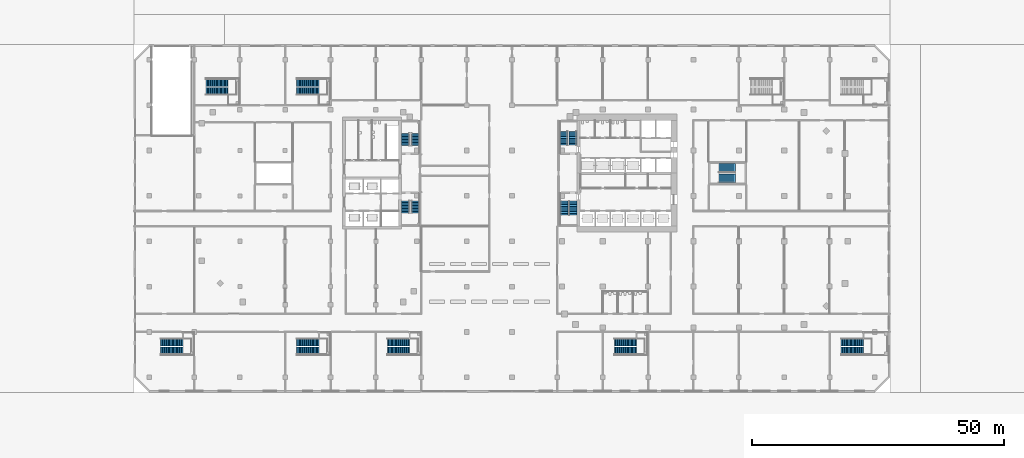
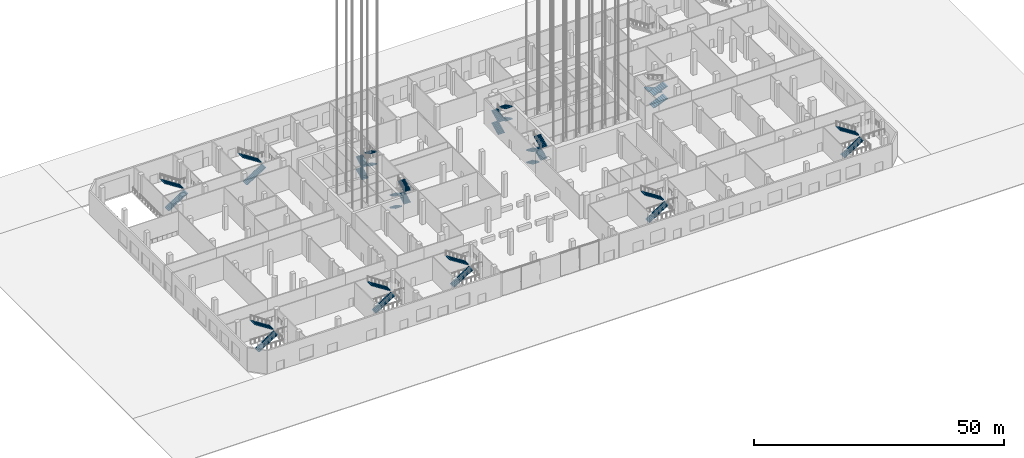
# One storey, part 44 of 55: 33 stair flights, 12 elements without a shape of their own.
"""IFC4 building model written with IfcOpenShell, lengths in metres."""

from ifc_helpers import new_model, si_unit, direction, frame, origin, place, context, subcontext, project, spatial, polyline, outline, extrude, material, type_object, element, aggregate, save


model = new_model("IFC4")

# Units and contexts
model_context = context("Model", 3, precision=1e-05, world=origin(), true_north=direction((0.0, 1.0)))
body_context = subcontext(model_context, "Body", "Model", "MODEL_VIEW")
ifc_project = project(units=[si_unit("LENGTHUNIT", "METRE"), si_unit("AREAUNIT", "SQUARE_METRE"), si_unit("VOLUMEUNIT", "CUBIC_METRE"), si_unit("PLANEANGLEUNIT", "RADIAN"), si_unit("MASSUNIT", "GRAM", prefix="KILO")], contexts=[model_context])

# Site, building, storey
site_placement = place(None, origin())
site = spatial("IfcSite", under=ifc_project, at=site_placement, CompositionType="ELEMENT")
building_placement = place(site_placement, origin())
building = spatial("IfcBuilding", under=site, at=building_placement, Name="Cinnabar Reach Civic Tower", CompositionType="ELEMENT")
storey_placement = place(building_placement, origin())
storey = spatial("IfcBuildingStorey", under=building, at=storey_placement, Name="L00", CompositionType="ELEMENT", Elevation=0.0)

# Stair, stair flights
ifc_material_1 = material(Name="Concrete C35", Category="concrete")
stair_type_1 = type_object("IfcStairType", Name="Podium exit stair 1500", PredefinedType="HALF_TURN_STAIR", material=ifc_material_1)
stair_1_placement = place(storey_placement, origin())
stair_1 = element("IfcStair", 1, at=stair_1_placement, inside=storey, type_object=stair_type_1, Name="Stair PS1", PredefinedType="HALF_TURN_STAIR")
stair_flight_type_1 = type_object("IfcStairFlightType", Name="Podium exit stair flight 1500", PredefinedType="STRAIGHT", material=ifc_material_1)
stair_flight_1_placement = place(storey_placement, frame((-78.71, -3.75, 0.0), z_axis=(0.0, 0.0, 1.0), x_axis=(1.0, 0.0, 0.0)))
stair_flight_1 = element("IfcStairFlight", 2, at=stair_flight_1_placement, type_object=stair_flight_type_1, Name="PS1 flight 1", NumberOfRisers=18, NumberOfTreads=17, PredefinedType="STRAIGHT", RiserHeight=0.166666667, TreadLength=0.26, context=body_context, shape_type="SweptSolid", body=[
    extrude(outline(polyline([(0.0, 0.0), (0.0, 0.1667), (0.26, 0.1667), (0.26, 0.3333), (0.52, 0.3333), (0.52, 0.5), (0.78, 0.5), (0.78, 0.6667), (1.04, 0.6667), (1.04, 0.8333), (1.3, 0.8333), (1.3, 1.0), (1.56, 1.0), (1.56, 1.1667), (1.82, 1.1667), (1.82, 1.3333), (2.08, 1.3333), (2.08, 1.5), (2.34, 1.5), (2.34, 1.6667), (2.6, 1.6667), (2.6, 1.8333), (2.86, 1.8333), (2.86, 2.0), (3.12, 2.0), (3.12, 2.1667), (3.38, 2.1667), (3.38, 2.3333), (3.64, 2.3333), (3.64, 2.5), (3.9, 2.5), (3.9, 2.6667), (4.16, 2.6667), (4.16, 2.8333), (4.42, 2.8333), (4.42, 3.0), (4.42, 2.6552), (0.2779, 0.0), (0.0, 0.0)])), frame((0.0, 0.75, 0.0), z_axis=(0.0, -1.0, 0.0), x_axis=(1.0, 0.0, 0.0)), (0.0, 0.0, 1.0), 1.5),
])
stair_flight_2_placement = place(storey_placement, frame((-74.29, -2.05, 3.0), z_axis=(0.0, 0.0, 1.0), x_axis=(-1.0, 0.0, 0.0)))
stair_flight_2 = element("IfcStairFlight", 3, at=stair_flight_2_placement, type_object=stair_flight_type_1, Name="PS1 flight 2", NumberOfRisers=18, NumberOfTreads=17, PredefinedType="STRAIGHT", RiserHeight=0.166666667, TreadLength=0.26, context=body_context, shape_type="SweptSolid", body=[
    extrude(outline(polyline([(0.0, 0.0), (0.0, 0.1667), (0.26, 0.1667), (0.26, 0.3333), (0.52, 0.3333), (0.52, 0.5), (0.78, 0.5), (0.78, 0.6667), (1.04, 0.6667), (1.04, 0.8333), (1.3, 0.8333), (1.3, 1.0), (1.56, 1.0), (1.56, 1.1667), (1.82, 1.1667), (1.82, 1.3333), (2.08, 1.3333), (2.08, 1.5), (2.34, 1.5), (2.34, 1.6667), (2.6, 1.6667), (2.6, 1.8333), (2.86, 1.8333), (2.86, 2.0), (3.12, 2.0), (3.12, 2.1667), (3.38, 2.1667), (3.38, 2.3333), (3.64, 2.3333), (3.64, 2.5), (3.9, 2.5), (3.9, 2.6667), (4.16, 2.6667), (4.16, 2.8333), (4.42, 2.8333), (4.42, 3.0), (4.42, 2.6552), (0.2779, 0.0), (0.0, 0.0)])), frame((0.0, 0.75, 0.0), z_axis=(0.0, -1.0, 0.0), x_axis=(1.0, 0.0, 0.0)), (0.0, 0.0, 1.0), 1.5),
])
aggregate(stair_1, [stair_flight_1, stair_flight_2])

stair_2_placement = place(storey_placement, origin())
stair_2 = element("IfcStair", 4, at=stair_2_placement, inside=storey, type_object=stair_type_1, Name="Stair PS2", PredefinedType="HALF_TURN_STAIR")
stair_flight_3_placement = place(storey_placement, frame((-69.71, 47.75, 0.0), z_axis=(0.0, 0.0, 1.0), x_axis=(1.0, 0.0, 0.0)))
stair_flight_3 = element("IfcStairFlight", 5, at=stair_flight_3_placement, type_object=stair_flight_type_1, Name="PS2 flight 1", NumberOfRisers=18, NumberOfTreads=17, PredefinedType="STRAIGHT", RiserHeight=0.166666667, TreadLength=0.26, context=body_context, shape_type="SweptSolid", body=[
    extrude(outline(polyline([(0.0, 0.0), (0.0, 0.1667), (0.26, 0.1667), (0.26, 0.3333), (0.52, 0.3333), (0.52, 0.5), (0.78, 0.5), (0.78, 0.6667), (1.04, 0.6667), (1.04, 0.8333), (1.3, 0.8333), (1.3, 1.0), (1.56, 1.0), (1.56, 1.1667), (1.82, 1.1667), (1.82, 1.3333), (2.08, 1.3333), (2.08, 1.5), (2.34, 1.5), (2.34, 1.6667), (2.6, 1.6667), (2.6, 1.8333), (2.86, 1.8333), (2.86, 2.0), (3.12, 2.0), (3.12, 2.1667), (3.38, 2.1667), (3.38, 2.3333), (3.64, 2.3333), (3.64, 2.5), (3.9, 2.5), (3.9, 2.6667), (4.16, 2.6667), (4.16, 2.8333), (4.42, 2.8333), (4.42, 3.0), (4.42, 2.6552), (0.2779, 0.0), (0.0, 0.0)])), frame((0.0, 0.75, 0.0), z_axis=(0.0, -1.0, 0.0), x_axis=(1.0, 0.0, 0.0)), (0.0, 0.0, 1.0), 1.5),
])
stair_flight_4_placement = place(storey_placement, frame((-65.29, 49.45, 3.0), z_axis=(0.0, 0.0, 1.0), x_axis=(-1.0, 0.0, 0.0)))
stair_flight_4 = element("IfcStairFlight", 6, at=stair_flight_4_placement, type_object=stair_flight_type_1, Name="PS2 flight 2", NumberOfRisers=18, NumberOfTreads=17, PredefinedType="STRAIGHT", RiserHeight=0.166666667, TreadLength=0.26, context=body_context, shape_type="SweptSolid", body=[
    extrude(outline(polyline([(0.0, 0.0), (0.0, 0.1667), (0.26, 0.1667), (0.26, 0.3333), (0.52, 0.3333), (0.52, 0.5), (0.78, 0.5), (0.78, 0.6667), (1.04, 0.6667), (1.04, 0.8333), (1.3, 0.8333), (1.3, 1.0), (1.56, 1.0), (1.56, 1.1667), (1.82, 1.1667), (1.82, 1.3333), (2.08, 1.3333), (2.08, 1.5), (2.34, 1.5), (2.34, 1.6667), (2.6, 1.6667), (2.6, 1.8333), (2.86, 1.8333), (2.86, 2.0), (3.12, 2.0), (3.12, 2.1667), (3.38, 2.1667), (3.38, 2.3333), (3.64, 2.3333), (3.64, 2.5), (3.9, 2.5), (3.9, 2.6667), (4.16, 2.6667), (4.16, 2.8333), (4.42, 2.8333), (4.42, 3.0), (4.42, 2.6552), (0.2779, 0.0), (0.0, 0.0)])), frame((0.0, 0.75, 0.0), z_axis=(0.0, -1.0, 0.0), x_axis=(1.0, 0.0, 0.0)), (0.0, 0.0, 1.0), 1.5),
])
aggregate(stair_2, [stair_flight_3, stair_flight_4])

stair_3_placement = place(storey_placement, origin())
stair_3 = element("IfcStair", 7, at=stair_3_placement, inside=storey, type_object=stair_type_1, Name="Stair PS3", PredefinedType="HALF_TURN_STAIR")
stair_flight_5_placement = place(storey_placement, frame((11.29, -3.75, 0.0), z_axis=(0.0, 0.0, 1.0), x_axis=(1.0, 0.0, 0.0)))
stair_flight_5 = element("IfcStairFlight", 8, at=stair_flight_5_placement, type_object=stair_flight_type_1, Name="PS3 flight 1", NumberOfRisers=18, NumberOfTreads=17, PredefinedType="STRAIGHT", RiserHeight=0.166666667, TreadLength=0.26, context=body_context, shape_type="SweptSolid", body=[
    extrude(outline(polyline([(0.0, 0.0), (0.0, 0.1667), (0.26, 0.1667), (0.26, 0.3333), (0.52, 0.3333), (0.52, 0.5), (0.78, 0.5), (0.78, 0.6667), (1.04, 0.6667), (1.04, 0.8333), (1.3, 0.8333), (1.3, 1.0), (1.56, 1.0), (1.56, 1.1667), (1.82, 1.1667), (1.82, 1.3333), (2.08, 1.3333), (2.08, 1.5), (2.34, 1.5), (2.34, 1.6667), (2.6, 1.6667), (2.6, 1.8333), (2.86, 1.8333), (2.86, 2.0), (3.12, 2.0), (3.12, 2.1667), (3.38, 2.1667), (3.38, 2.3333), (3.64, 2.3333), (3.64, 2.5), (3.9, 2.5), (3.9, 2.6667), (4.16, 2.6667), (4.16, 2.8333), (4.42, 2.8333), (4.42, 3.0), (4.42, 2.6552), (0.2779, 0.0), (0.0, 0.0)])), frame((0.0, 0.75, 0.0), z_axis=(0.0, -1.0, 0.0), x_axis=(1.0, 0.0, 0.0)), (0.0, 0.0, 1.0), 1.5),
])
stair_flight_6_placement = place(storey_placement, frame((15.71, -2.05, 3.0), z_axis=(0.0, 0.0, 1.0), x_axis=(-1.0, 0.0, 0.0)))
stair_flight_6 = element("IfcStairFlight", 9, at=stair_flight_6_placement, type_object=stair_flight_type_1, Name="PS3 flight 2", NumberOfRisers=18, NumberOfTreads=17, PredefinedType="STRAIGHT", RiserHeight=0.166666667, TreadLength=0.26, context=body_context, shape_type="SweptSolid", body=[
    extrude(outline(polyline([(0.0, 0.0), (0.0, 0.1667), (0.26, 0.1667), (0.26, 0.3333), (0.52, 0.3333), (0.52, 0.5), (0.78, 0.5), (0.78, 0.6667), (1.04, 0.6667), (1.04, 0.8333), (1.3, 0.8333), (1.3, 1.0), (1.56, 1.0), (1.56, 1.1667), (1.82, 1.1667), (1.82, 1.3333), (2.08, 1.3333), (2.08, 1.5), (2.34, 1.5), (2.34, 1.6667), (2.6, 1.6667), (2.6, 1.8333), (2.86, 1.8333), (2.86, 2.0), (3.12, 2.0), (3.12, 2.1667), (3.38, 2.1667), (3.38, 2.3333), (3.64, 2.3333), (3.64, 2.5), (3.9, 2.5), (3.9, 2.6667), (4.16, 2.6667), (4.16, 2.8333), (4.42, 2.8333), (4.42, 3.0), (4.42, 2.6552), (0.2779, 0.0), (0.0, 0.0)])), frame((0.0, 0.75, 0.0), z_axis=(0.0, -1.0, 0.0), x_axis=(1.0, 0.0, 0.0)), (0.0, 0.0, 1.0), 1.5),
])
aggregate(stair_3, [stair_flight_5, stair_flight_6])

stair_4_placement = place(storey_placement, origin())
stair_4 = element("IfcStair", 10, at=stair_4_placement, inside=storey, type_object=stair_type_1, Name="Stair PS4", PredefinedType="HALF_TURN_STAIR")
stair_flight_7_placement = place(storey_placement, frame((56.29, -3.75, 0.0), z_axis=(0.0, 0.0, 1.0), x_axis=(1.0, 0.0, 0.0)))
stair_flight_7 = element("IfcStairFlight", 11, at=stair_flight_7_placement, type_object=stair_flight_type_1, Name="PS4 flight 1", NumberOfRisers=18, NumberOfTreads=17, PredefinedType="STRAIGHT", RiserHeight=0.166666667, TreadLength=0.26, context=body_context, shape_type="SweptSolid", body=[
    extrude(outline(polyline([(0.0, 0.0), (0.0, 0.1667), (0.26, 0.1667), (0.26, 0.3333), (0.52, 0.3333), (0.52, 0.5), (0.78, 0.5), (0.78, 0.6667), (1.04, 0.6667), (1.04, 0.8333), (1.3, 0.8333), (1.3, 1.0), (1.56, 1.0), (1.56, 1.1667), (1.82, 1.1667), (1.82, 1.3333), (2.08, 1.3333), (2.08, 1.5), (2.34, 1.5), (2.34, 1.6667), (2.6, 1.6667), (2.6, 1.8333), (2.86, 1.8333), (2.86, 2.0), (3.12, 2.0), (3.12, 2.1667), (3.38, 2.1667), (3.38, 2.3333), (3.64, 2.3333), (3.64, 2.5), (3.9, 2.5), (3.9, 2.6667), (4.16, 2.6667), (4.16, 2.8333), (4.42, 2.8333), (4.42, 3.0), (4.42, 2.6552), (0.2779, 0.0), (0.0, 0.0)])), frame((0.0, 0.75, 0.0), z_axis=(0.0, -1.0, 0.0), x_axis=(1.0, 0.0, 0.0)), (0.0, 0.0, 1.0), 1.5),
])
stair_flight_8_placement = place(storey_placement, frame((60.71, -2.05, 3.0), z_axis=(0.0, 0.0, 1.0), x_axis=(-1.0, 0.0, 0.0)))
stair_flight_8 = element("IfcStairFlight", 12, at=stair_flight_8_placement, type_object=stair_flight_type_1, Name="PS4 flight 2", NumberOfRisers=18, NumberOfTreads=17, PredefinedType="STRAIGHT", RiserHeight=0.166666667, TreadLength=0.26, context=body_context, shape_type="SweptSolid", body=[
    extrude(outline(polyline([(0.0, 0.0), (0.0, 0.1667), (0.26, 0.1667), (0.26, 0.3333), (0.52, 0.3333), (0.52, 0.5), (0.78, 0.5), (0.78, 0.6667), (1.04, 0.6667), (1.04, 0.8333), (1.3, 0.8333), (1.3, 1.0), (1.56, 1.0), (1.56, 1.1667), (1.82, 1.1667), (1.82, 1.3333), (2.08, 1.3333), (2.08, 1.5), (2.34, 1.5), (2.34, 1.6667), (2.6, 1.6667), (2.6, 1.8333), (2.86, 1.8333), (2.86, 2.0), (3.12, 2.0), (3.12, 2.1667), (3.38, 2.1667), (3.38, 2.3333), (3.64, 2.3333), (3.64, 2.5), (3.9, 2.5), (3.9, 2.6667), (4.16, 2.6667), (4.16, 2.8333), (4.42, 2.8333), (4.42, 3.0), (4.42, 2.6552), (0.2779, 0.0), (0.0, 0.0)])), frame((0.0, 0.75, 0.0), z_axis=(0.0, -1.0, 0.0), x_axis=(1.0, 0.0, 0.0)), (0.0, 0.0, 1.0), 1.5),
])
aggregate(stair_4, [stair_flight_7, stair_flight_8])

stair_5_placement = place(storey_placement, origin())
stair_5 = element("IfcStair", 13, at=stair_5_placement, inside=storey, type_object=stair_type_1, Name="Stair PS7", PredefinedType="HALF_TURN_STAIR")
stair_flight_9_placement = place(storey_placement, frame((-51.71, 47.75, 0.0), z_axis=(0.0, 0.0, 1.0), x_axis=(1.0, 0.0, 0.0)))
stair_flight_9 = element("IfcStairFlight", 14, at=stair_flight_9_placement, type_object=stair_flight_type_1, Name="PS7 flight 1", NumberOfRisers=18, NumberOfTreads=17, PredefinedType="STRAIGHT", RiserHeight=0.166666667, TreadLength=0.26, context=body_context, shape_type="SweptSolid", body=[
    extrude(outline(polyline([(0.0, 0.0), (0.0, 0.1667), (0.26, 0.1667), (0.26, 0.3333), (0.52, 0.3333), (0.52, 0.5), (0.78, 0.5), (0.78, 0.6667), (1.04, 0.6667), (1.04, 0.8333), (1.3, 0.8333), (1.3, 1.0), (1.56, 1.0), (1.56, 1.1667), (1.82, 1.1667), (1.82, 1.3333), (2.08, 1.3333), (2.08, 1.5), (2.34, 1.5), (2.34, 1.6667), (2.6, 1.6667), (2.6, 1.8333), (2.86, 1.8333), (2.86, 2.0), (3.12, 2.0), (3.12, 2.1667), (3.38, 2.1667), (3.38, 2.3333), (3.64, 2.3333), (3.64, 2.5), (3.9, 2.5), (3.9, 2.6667), (4.16, 2.6667), (4.16, 2.8333), (4.42, 2.8333), (4.42, 3.0), (4.42, 2.6552), (0.2779, 0.0), (0.0, 0.0)])), frame((0.0, 0.75, 0.0), z_axis=(0.0, -1.0, 0.0), x_axis=(1.0, 0.0, 0.0)), (0.0, 0.0, 1.0), 1.5),
])
stair_flight_10_placement = place(storey_placement, frame((-47.29, 49.45, 3.0), z_axis=(0.0, 0.0, 1.0), x_axis=(-1.0, 0.0, 0.0)))
stair_flight_10 = element("IfcStairFlight", 15, at=stair_flight_10_placement, type_object=stair_flight_type_1, Name="PS7 flight 2", NumberOfRisers=18, NumberOfTreads=17, PredefinedType="STRAIGHT", RiserHeight=0.166666667, TreadLength=0.26, context=body_context, shape_type="SweptSolid", body=[
    extrude(outline(polyline([(0.0, 0.0), (0.0, 0.1667), (0.26, 0.1667), (0.26, 0.3333), (0.52, 0.3333), (0.52, 0.5), (0.78, 0.5), (0.78, 0.6667), (1.04, 0.6667), (1.04, 0.8333), (1.3, 0.8333), (1.3, 1.0), (1.56, 1.0), (1.56, 1.1667), (1.82, 1.1667), (1.82, 1.3333), (2.08, 1.3333), (2.08, 1.5), (2.34, 1.5), (2.34, 1.6667), (2.6, 1.6667), (2.6, 1.8333), (2.86, 1.8333), (2.86, 2.0), (3.12, 2.0), (3.12, 2.1667), (3.38, 2.1667), (3.38, 2.3333), (3.64, 2.3333), (3.64, 2.5), (3.9, 2.5), (3.9, 2.6667), (4.16, 2.6667), (4.16, 2.8333), (4.42, 2.8333), (4.42, 3.0), (4.42, 2.6552), (0.2779, 0.0), (0.0, 0.0)])), frame((0.0, 0.75, 0.0), z_axis=(0.0, -1.0, 0.0), x_axis=(1.0, 0.0, 0.0)), (0.0, 0.0, 1.0), 1.5),
])
aggregate(stair_5, [stair_flight_9, stair_flight_10])

stair_6_placement = place(storey_placement, origin())
stair_6 = element("IfcStair", 16, at=stair_6_placement, inside=storey, type_object=stair_type_1, Name="Stair PS8", PredefinedType="HALF_TURN_STAIR")
stair_flight_11_placement = place(storey_placement, frame((-51.71, -3.75, 0.0), z_axis=(0.0, 0.0, 1.0), x_axis=(1.0, 0.0, 0.0)))
stair_flight_11 = element("IfcStairFlight", 17, at=stair_flight_11_placement, type_object=stair_flight_type_1, Name="PS8 flight 1", NumberOfRisers=18, NumberOfTreads=17, PredefinedType="STRAIGHT", RiserHeight=0.166666667, TreadLength=0.26, context=body_context, shape_type="SweptSolid", body=[
    extrude(outline(polyline([(0.0, 0.0), (0.0, 0.1667), (0.26, 0.1667), (0.26, 0.3333), (0.52, 0.3333), (0.52, 0.5), (0.78, 0.5), (0.78, 0.6667), (1.04, 0.6667), (1.04, 0.8333), (1.3, 0.8333), (1.3, 1.0), (1.56, 1.0), (1.56, 1.1667), (1.82, 1.1667), (1.82, 1.3333), (2.08, 1.3333), (2.08, 1.5), (2.34, 1.5), (2.34, 1.6667), (2.6, 1.6667), (2.6, 1.8333), (2.86, 1.8333), (2.86, 2.0), (3.12, 2.0), (3.12, 2.1667), (3.38, 2.1667), (3.38, 2.3333), (3.64, 2.3333), (3.64, 2.5), (3.9, 2.5), (3.9, 2.6667), (4.16, 2.6667), (4.16, 2.8333), (4.42, 2.8333), (4.42, 3.0), (4.42, 2.6552), (0.2779, 0.0), (0.0, 0.0)])), frame((0.0, 0.75, 0.0), z_axis=(0.0, -1.0, 0.0), x_axis=(1.0, 0.0, 0.0)), (0.0, 0.0, 1.0), 1.5),
])
stair_flight_12_placement = place(storey_placement, frame((-47.29, -2.05, 3.0), z_axis=(0.0, 0.0, 1.0), x_axis=(-1.0, 0.0, 0.0)))
stair_flight_12 = element("IfcStairFlight", 18, at=stair_flight_12_placement, type_object=stair_flight_type_1, Name="PS8 flight 2", NumberOfRisers=18, NumberOfTreads=17, PredefinedType="STRAIGHT", RiserHeight=0.166666667, TreadLength=0.26, context=body_context, shape_type="SweptSolid", body=[
    extrude(outline(polyline([(0.0, 0.0), (0.0, 0.1667), (0.26, 0.1667), (0.26, 0.3333), (0.52, 0.3333), (0.52, 0.5), (0.78, 0.5), (0.78, 0.6667), (1.04, 0.6667), (1.04, 0.8333), (1.3, 0.8333), (1.3, 1.0), (1.56, 1.0), (1.56, 1.1667), (1.82, 1.1667), (1.82, 1.3333), (2.08, 1.3333), (2.08, 1.5), (2.34, 1.5), (2.34, 1.6667), (2.6, 1.6667), (2.6, 1.8333), (2.86, 1.8333), (2.86, 2.0), (3.12, 2.0), (3.12, 2.1667), (3.38, 2.1667), (3.38, 2.3333), (3.64, 2.3333), (3.64, 2.5), (3.9, 2.5), (3.9, 2.6667), (4.16, 2.6667), (4.16, 2.8333), (4.42, 2.8333), (4.42, 3.0), (4.42, 2.6552), (0.2779, 0.0), (0.0, 0.0)])), frame((0.0, 0.75, 0.0), z_axis=(0.0, -1.0, 0.0), x_axis=(1.0, 0.0, 0.0)), (0.0, 0.0, 1.0), 1.5),
])
aggregate(stair_6, [stair_flight_11, stair_flight_12])

stair_7_placement = place(storey_placement, origin())
stair_7 = element("IfcStair", 19, at=stair_7_placement, inside=storey, type_object=stair_type_1, Name="Stair PS9", PredefinedType="HALF_TURN_STAIR")
stair_flight_13_placement = place(storey_placement, frame((-33.71, -3.75, 0.0), z_axis=(0.0, 0.0, 1.0), x_axis=(1.0, 0.0, 0.0)))
stair_flight_13 = element("IfcStairFlight", 20, at=stair_flight_13_placement, type_object=stair_flight_type_1, Name="PS9 flight 1", NumberOfRisers=18, NumberOfTreads=17, PredefinedType="STRAIGHT", RiserHeight=0.166666667, TreadLength=0.26, context=body_context, shape_type="SweptSolid", body=[
    extrude(outline(polyline([(0.0, 0.0), (0.0, 0.1667), (0.26, 0.1667), (0.26, 0.3333), (0.52, 0.3333), (0.52, 0.5), (0.78, 0.5), (0.78, 0.6667), (1.04, 0.6667), (1.04, 0.8333), (1.3, 0.8333), (1.3, 1.0), (1.56, 1.0), (1.56, 1.1667), (1.82, 1.1667), (1.82, 1.3333), (2.08, 1.3333), (2.08, 1.5), (2.34, 1.5), (2.34, 1.6667), (2.6, 1.6667), (2.6, 1.8333), (2.86, 1.8333), (2.86, 2.0), (3.12, 2.0), (3.12, 2.1667), (3.38, 2.1667), (3.38, 2.3333), (3.64, 2.3333), (3.64, 2.5), (3.9, 2.5), (3.9, 2.6667), (4.16, 2.6667), (4.16, 2.8333), (4.42, 2.8333), (4.42, 3.0), (4.42, 2.6552), (0.2779, 0.0), (0.0, 0.0)])), frame((0.0, 0.75, 0.0), z_axis=(0.0, -1.0, 0.0), x_axis=(1.0, 0.0, 0.0)), (0.0, 0.0, 1.0), 1.5),
])
stair_flight_14_placement = place(storey_placement, frame((-29.29, -2.05, 3.0), z_axis=(0.0, 0.0, 1.0), x_axis=(-1.0, 0.0, 0.0)))
stair_flight_14 = element("IfcStairFlight", 21, at=stair_flight_14_placement, type_object=stair_flight_type_1, Name="PS9 flight 2", NumberOfRisers=18, NumberOfTreads=17, PredefinedType="STRAIGHT", RiserHeight=0.166666667, TreadLength=0.26, context=body_context, shape_type="SweptSolid", body=[
    extrude(outline(polyline([(0.0, 0.0), (0.0, 0.1667), (0.26, 0.1667), (0.26, 0.3333), (0.52, 0.3333), (0.52, 0.5), (0.78, 0.5), (0.78, 0.6667), (1.04, 0.6667), (1.04, 0.8333), (1.3, 0.8333), (1.3, 1.0), (1.56, 1.0), (1.56, 1.1667), (1.82, 1.1667), (1.82, 1.3333), (2.08, 1.3333), (2.08, 1.5), (2.34, 1.5), (2.34, 1.6667), (2.6, 1.6667), (2.6, 1.8333), (2.86, 1.8333), (2.86, 2.0), (3.12, 2.0), (3.12, 2.1667), (3.38, 2.1667), (3.38, 2.3333), (3.64, 2.3333), (3.64, 2.5), (3.9, 2.5), (3.9, 2.6667), (4.16, 2.6667), (4.16, 2.8333), (4.42, 2.8333), (4.42, 3.0), (4.42, 2.6552), (0.2779, 0.0), (0.0, 0.0)])), frame((0.0, 0.75, 0.0), z_axis=(0.0, -1.0, 0.0), x_axis=(1.0, 0.0, 0.0)), (0.0, 0.0, 1.0), 1.5),
])
aggregate(stair_7, [stair_flight_13, stair_flight_14])

ifc_material_2 = material(Name="Concrete C40/50", Category="concrete")
stair_type_2 = type_object("IfcStairType", Name="T1 Exit stair, double return", PredefinedType="DOUBLE_RETURN_STAIR", material=ifc_material_2)
stair_8_placement = place(storey_placement, origin())
stair_8 = element("IfcStair", 22, at=stair_8_placement, inside=storey, type_object=stair_type_2, Name="Stair T1-S1", PredefinedType="DOUBLE_RETURN_STAIR")
stair_flight_type_2 = type_object("IfcStairFlightType", Name="T1 Stair flight, concrete", PredefinedType="STRAIGHT", material=ifc_material_2)
stair_flight_15_placement = place(storey_placement, frame((1.3125, 25.95, 0.0), z_axis=(0.0, 0.0, 1.0), x_axis=(0.0, -1.0, 0.0)))
stair_flight_15 = element("IfcStairFlight", 23, at=stair_flight_15_placement, type_object=stair_flight_type_2, Name="T1-S1 flight 1", NumberOfRisers=9, NumberOfTreads=8, PredefinedType="STRAIGHT", RiserHeight=0.166666667, TreadLength=0.343125, context=body_context, shape_type="SweptSolid", body=[
    extrude(outline(polyline([(0.0, 0.0), (0.0, 0.1667), (0.3431, 0.1667), (0.3431, 0.3333), (0.6863, 0.3333), (0.6863, 0.5), (1.0294, 0.5), (1.0294, 0.6667), (1.3725, 0.6667), (1.3725, 0.8333), (1.7156, 0.8333), (1.7156, 1.0), (2.0587, 1.0), (2.0587, 1.1667), (2.4019, 1.1667), (2.4019, 1.3333), (2.745, 1.3333), (2.745, 1.5), (2.745, 1.1666), (0.3433, 0.0), (0.0, 0.0)])), frame((0.0, 0.7625, 0.0), z_axis=(0.0, -1.0, 0.0), x_axis=(1.0, 0.0, 0.0)), (0.0, 0.0, 1.0), 1.525),
])
stair_flight_16_placement = place(storey_placement, frame((3.0875, 23.205, 1.5), z_axis=(0.0, 0.0, 1.0), x_axis=(0.0, 1.0, 0.0)))
stair_flight_16 = element("IfcStairFlight", 24, at=stair_flight_16_placement, type_object=stair_flight_type_2, Name="T1-S1 flight 2", NumberOfRisers=9, NumberOfTreads=8, PredefinedType="STRAIGHT", RiserHeight=0.166666667, TreadLength=0.343125, context=body_context, shape_type="SweptSolid", body=[
    extrude(outline(polyline([(0.0, 0.0), (0.0, 0.1667), (0.3431, 0.1667), (0.3431, 0.3333), (0.6863, 0.3333), (0.6863, 0.5), (1.0294, 0.5), (1.0294, 0.6667), (1.3725, 0.6667), (1.3725, 0.8333), (1.7156, 0.8333), (1.7156, 1.0), (2.0587, 1.0), (2.0587, 1.1667), (2.4019, 1.1667), (2.4019, 1.3333), (2.745, 1.3333), (2.745, 1.5), (2.745, 1.1666), (0.3433, 0.0), (0.0, 0.0)])), frame((0.0, 0.7625, 0.0), z_axis=(0.0, -1.0, 0.0), x_axis=(1.0, 0.0, 0.0)), (0.0, 0.0, 1.0), 1.525),
])
stair_flight_17_placement = place(storey_placement, frame((1.3125, 25.95, 3.0), z_axis=(0.0, 0.0, 1.0), x_axis=(0.0, -1.0, 0.0)))
stair_flight_17 = element("IfcStairFlight", 25, at=stair_flight_17_placement, type_object=stair_flight_type_2, Name="T1-S1 flight 3", NumberOfRisers=9, NumberOfTreads=8, PredefinedType="STRAIGHT", RiserHeight=0.166666667, TreadLength=0.343125, context=body_context, shape_type="SweptSolid", body=[
    extrude(outline(polyline([(0.0, 0.0), (0.0, 0.1667), (0.3431, 0.1667), (0.3431, 0.3333), (0.6863, 0.3333), (0.6863, 0.5), (1.0294, 0.5), (1.0294, 0.6667), (1.3725, 0.6667), (1.3725, 0.8333), (1.7156, 0.8333), (1.7156, 1.0), (2.0587, 1.0), (2.0587, 1.1667), (2.4019, 1.1667), (2.4019, 1.3333), (2.745, 1.3333), (2.745, 1.5), (2.745, 1.1666), (0.3433, 0.0), (0.0, 0.0)])), frame((0.0, 0.7625, 0.0), z_axis=(0.0, -1.0, 0.0), x_axis=(1.0, 0.0, 0.0)), (0.0, 0.0, 1.0), 1.525),
])
stair_flight_18_placement = place(storey_placement, frame((3.0875, 23.205, 4.5), z_axis=(0.0, 0.0, 1.0), x_axis=(0.0, 1.0, 0.0)))
stair_flight_18 = element("IfcStairFlight", 26, at=stair_flight_18_placement, type_object=stair_flight_type_2, Name="T1-S1 flight 4", NumberOfRisers=9, NumberOfTreads=8, PredefinedType="STRAIGHT", RiserHeight=0.166666667, TreadLength=0.343125, context=body_context, shape_type="SweptSolid", body=[
    extrude(outline(polyline([(0.0, 0.0), (0.0, 0.1667), (0.3431, 0.1667), (0.3431, 0.3333), (0.6863, 0.3333), (0.6863, 0.5), (1.0294, 0.5), (1.0294, 0.6667), (1.3725, 0.6667), (1.3725, 0.8333), (1.7156, 0.8333), (1.7156, 1.0), (2.0587, 1.0), (2.0587, 1.1667), (2.4019, 1.1667), (2.4019, 1.3333), (2.745, 1.3333), (2.745, 1.5), (2.745, 1.1666), (0.3433, 0.0), (0.0, 0.0)])), frame((0.0, 0.7625, 0.0), z_axis=(0.0, -1.0, 0.0), x_axis=(1.0, 0.0, 0.0)), (0.0, 0.0, 1.0), 1.525),
])
aggregate(stair_8, [stair_flight_15, stair_flight_16, stair_flight_17, stair_flight_18])

stair_9_placement = place(storey_placement, origin())
stair_9 = element("IfcStair", 27, at=stair_9_placement, inside=storey, type_object=stair_type_2, Name="Stair T1-S2", PredefinedType="DOUBLE_RETURN_STAIR")
stair_flight_19_placement = place(storey_placement, frame((1.3125, 37.05, 0.0), z_axis=(0.0, 0.0, 1.0), x_axis=(0.0, 1.0, 0.0)))
stair_flight_19 = element("IfcStairFlight", 28, at=stair_flight_19_placement, type_object=stair_flight_type_2, Name="T1-S2 flight 1", NumberOfRisers=9, NumberOfTreads=8, PredefinedType="STRAIGHT", RiserHeight=0.166666667, TreadLength=0.343125, context=body_context, shape_type="SweptSolid", body=[
    extrude(outline(polyline([(0.0, 0.0), (0.0, 0.1667), (0.3431, 0.1667), (0.3431, 0.3333), (0.6863, 0.3333), (0.6863, 0.5), (1.0294, 0.5), (1.0294, 0.6667), (1.3725, 0.6667), (1.3725, 0.8333), (1.7156, 0.8333), (1.7156, 1.0), (2.0587, 1.0), (2.0587, 1.1667), (2.4019, 1.1667), (2.4019, 1.3333), (2.745, 1.3333), (2.745, 1.5), (2.745, 1.1666), (0.3433, 0.0), (0.0, 0.0)])), frame((0.0, 0.7625, 0.0), z_axis=(0.0, -1.0, 0.0), x_axis=(1.0, 0.0, 0.0)), (0.0, 0.0, 1.0), 1.525),
])
stair_flight_20_placement = place(storey_placement, frame((3.0875, 39.795, 1.5), z_axis=(0.0, 0.0, 1.0), x_axis=(0.0, -1.0, 0.0)))
stair_flight_20 = element("IfcStairFlight", 29, at=stair_flight_20_placement, type_object=stair_flight_type_2, Name="T1-S2 flight 2", NumberOfRisers=9, NumberOfTreads=8, PredefinedType="STRAIGHT", RiserHeight=0.166666667, TreadLength=0.343125, context=body_context, shape_type="SweptSolid", body=[
    extrude(outline(polyline([(0.0, 0.0), (0.0, 0.1667), (0.3431, 0.1667), (0.3431, 0.3333), (0.6863, 0.3333), (0.6863, 0.5), (1.0294, 0.5), (1.0294, 0.6667), (1.3725, 0.6667), (1.3725, 0.8333), (1.7156, 0.8333), (1.7156, 1.0), (2.0587, 1.0), (2.0587, 1.1667), (2.4019, 1.1667), (2.4019, 1.3333), (2.745, 1.3333), (2.745, 1.5), (2.745, 1.1666), (0.3433, 0.0), (0.0, 0.0)])), frame((0.0, 0.7625, 0.0), z_axis=(0.0, -1.0, 0.0), x_axis=(1.0, 0.0, 0.0)), (0.0, 0.0, 1.0), 1.525),
])
stair_flight_21_placement = place(storey_placement, frame((1.3125, 37.05, 3.0), z_axis=(0.0, 0.0, 1.0), x_axis=(0.0, 1.0, 0.0)))
stair_flight_21 = element("IfcStairFlight", 30, at=stair_flight_21_placement, type_object=stair_flight_type_2, Name="T1-S2 flight 3", NumberOfRisers=9, NumberOfTreads=8, PredefinedType="STRAIGHT", RiserHeight=0.166666667, TreadLength=0.343125, context=body_context, shape_type="SweptSolid", body=[
    extrude(outline(polyline([(0.0, 0.0), (0.0, 0.1667), (0.3431, 0.1667), (0.3431, 0.3333), (0.6863, 0.3333), (0.6863, 0.5), (1.0294, 0.5), (1.0294, 0.6667), (1.3725, 0.6667), (1.3725, 0.8333), (1.7156, 0.8333), (1.7156, 1.0), (2.0587, 1.0), (2.0587, 1.1667), (2.4019, 1.1667), (2.4019, 1.3333), (2.745, 1.3333), (2.745, 1.5), (2.745, 1.1666), (0.3433, 0.0), (0.0, 0.0)])), frame((0.0, 0.7625, 0.0), z_axis=(0.0, -1.0, 0.0), x_axis=(1.0, 0.0, 0.0)), (0.0, 0.0, 1.0), 1.525),
])
stair_flight_22_placement = place(storey_placement, frame((3.0875, 39.795, 4.5), z_axis=(0.0, 0.0, 1.0), x_axis=(0.0, -1.0, 0.0)))
stair_flight_22 = element("IfcStairFlight", 31, at=stair_flight_22_placement, type_object=stair_flight_type_2, Name="T1-S2 flight 4", NumberOfRisers=9, NumberOfTreads=8, PredefinedType="STRAIGHT", RiserHeight=0.166666667, TreadLength=0.343125, context=body_context, shape_type="SweptSolid", body=[
    extrude(outline(polyline([(0.0, 0.0), (0.0, 0.1667), (0.3431, 0.1667), (0.3431, 0.3333), (0.6863, 0.3333), (0.6863, 0.5), (1.0294, 0.5), (1.0294, 0.6667), (1.3725, 0.6667), (1.3725, 0.8333), (1.7156, 0.8333), (1.7156, 1.0), (2.0587, 1.0), (2.0587, 1.1667), (2.4019, 1.1667), (2.4019, 1.3333), (2.745, 1.3333), (2.745, 1.5), (2.745, 1.1666), (0.3433, 0.0), (0.0, 0.0)])), frame((0.0, 0.7625, 0.0), z_axis=(0.0, -1.0, 0.0), x_axis=(1.0, 0.0, 0.0)), (0.0, 0.0, 1.0), 1.525),
])
aggregate(stair_9, [stair_flight_19, stair_flight_20, stair_flight_21, stair_flight_22])

stair_10_placement = place(storey_placement, origin())
stair_10 = element("IfcStair", 32, at=stair_10_placement, inside=storey, type_object=stair_type_2, Name="Stair T1-S3", PredefinedType="DOUBLE_RETURN_STAIR")
stair_flight_23_placement = place(storey_placement, frame((32.05, 30.45, 0.0), z_axis=(0.0, 0.0, 1.0), x_axis=(1.0, 0.0, 0.0)))
stair_flight_23 = element("IfcStairFlight", 33, at=stair_flight_23_placement, type_object=stair_flight_type_2, Name="T1-S3 flight 1", NumberOfRisers=9, NumberOfTreads=8, PredefinedType="STRAIGHT", RiserHeight=0.166666667, TreadLength=0.405, context=body_context, shape_type="SweptSolid", body=[
    extrude(outline(polyline([(0.0, 0.0), (0.0, 0.1667), (0.405, 0.1667), (0.405, 0.3333), (0.81, 0.3333), (0.81, 0.5), (1.215, 0.5), (1.215, 0.6667), (1.62, 0.6667), (1.62, 0.8333), (2.025, 0.8333), (2.025, 1.0), (2.43, 1.0), (2.43, 1.1667), (2.835, 1.1667), (2.835, 1.3333), (3.24, 1.3333), (3.24, 1.5), (3.24, 1.1711), (0.3942, 0.0), (0.0, 0.0)])), frame((0.0, 0.9, 0.0), z_axis=(0.0, -1.0, 0.0), x_axis=(1.0, 0.0, 0.0)), (0.0, 0.0, 1.0), 1.8),
])
stair_flight_24_placement = place(storey_placement, frame((35.29, 32.55, 1.5), z_axis=(0.0, 0.0, 1.0), x_axis=(-1.0, 0.0, 0.0)))
stair_flight_24 = element("IfcStairFlight", 34, at=stair_flight_24_placement, type_object=stair_flight_type_2, Name="T1-S3 flight 2", NumberOfRisers=9, NumberOfTreads=8, PredefinedType="STRAIGHT", RiserHeight=0.166666667, TreadLength=0.405, context=body_context, shape_type="SweptSolid", body=[
    extrude(outline(polyline([(0.0, 0.0), (0.0, 0.1667), (0.405, 0.1667), (0.405, 0.3333), (0.81, 0.3333), (0.81, 0.5), (1.215, 0.5), (1.215, 0.6667), (1.62, 0.6667), (1.62, 0.8333), (2.025, 0.8333), (2.025, 1.0), (2.43, 1.0), (2.43, 1.1667), (2.835, 1.1667), (2.835, 1.3333), (3.24, 1.3333), (3.24, 1.5), (3.24, 1.1711), (0.3942, 0.0), (0.0, 0.0)])), frame((0.0, 0.9, 0.0), z_axis=(0.0, -1.0, 0.0), x_axis=(1.0, 0.0, 0.0)), (0.0, 0.0, 1.0), 1.8),
])
stair_flight_25_placement = place(storey_placement, frame((32.05, 30.45, 3.0), z_axis=(0.0, 0.0, 1.0), x_axis=(1.0, 0.0, 0.0)))
stair_flight_25 = element("IfcStairFlight", 35, at=stair_flight_25_placement, type_object=stair_flight_type_2, Name="T1-S3 flight 3", NumberOfRisers=9, NumberOfTreads=8, PredefinedType="STRAIGHT", RiserHeight=0.166666667, TreadLength=0.405, context=body_context, shape_type="SweptSolid", body=[
    extrude(outline(polyline([(0.0, 0.0), (0.0, 0.1667), (0.405, 0.1667), (0.405, 0.3333), (0.81, 0.3333), (0.81, 0.5), (1.215, 0.5), (1.215, 0.6667), (1.62, 0.6667), (1.62, 0.8333), (2.025, 0.8333), (2.025, 1.0), (2.43, 1.0), (2.43, 1.1667), (2.835, 1.1667), (2.835, 1.3333), (3.24, 1.3333), (3.24, 1.5), (3.24, 1.1711), (0.3942, 0.0), (0.0, 0.0)])), frame((0.0, 0.9, 0.0), z_axis=(0.0, -1.0, 0.0), x_axis=(1.0, 0.0, 0.0)), (0.0, 0.0, 1.0), 1.8),
])
aggregate(stair_10, [stair_flight_23, stair_flight_24, stair_flight_25])

ifc_material_3 = material(Name="Concrete C40", Category="concrete")
stair_type_3 = type_object("IfcStairType", Name="T2 Exit stair 1500", PredefinedType="HALF_TURN_STAIR", material=ifc_material_3)
stair_11_placement = place(storey_placement, origin())
stair_11 = element("IfcStair", 36, at=stair_11_placement, inside=storey, type_object=stair_type_3, Name="Exit stair 1", PredefinedType="HALF_TURN_STAIR")
stair_flight_type_3 = type_object("IfcStairFlightType", Name="T2 Stair flight 1500", PredefinedType="STRAIGHT", material=ifc_material_3)
stair_flight_26_placement = place(storey_placement, frame((-30.15, 26.0, 0.0), z_axis=(0.0, 0.0, 1.0), x_axis=(0.0, -1.0, 0.0)))
stair_flight_26 = element("IfcStairFlight", 37, at=stair_flight_26_placement, type_object=stair_flight_type_3, Name="ST1 flight 1", NumberOfRisers=9, NumberOfTreads=8, PredefinedType="STRAIGHT", RiserHeight=0.166666667, TreadLength=0.3, context=body_context, shape_type="SweptSolid", body=[
    extrude(outline(polyline([(0.0, 0.0), (0.0, 0.1667), (0.3, 0.1667), (0.3, 0.3333), (0.6, 0.3333), (0.6, 0.5), (0.9, 0.5), (0.9, 0.6667), (1.2, 0.6667), (1.2, 0.8333), (1.5, 0.8333), (1.5, 1.0), (1.8, 1.0), (1.8, 1.1667), (2.1, 1.1667), (2.1, 1.3333), (2.4, 1.3333), (2.4, 1.5), (2.4, 1.1617), (0.3089, 0.0), (0.0, 0.0)])), frame((0.0, 0.75, 0.0), z_axis=(0.0, -1.0, 0.0), x_axis=(1.0, 0.0, 0.0)), (0.0, 0.0, 1.0), 1.5),
])
stair_flight_27_placement = place(storey_placement, frame((-28.15, 23.6, 1.5), z_axis=(0.0, 0.0, 1.0), x_axis=(0.0, 1.0, 0.0)))
stair_flight_27 = element("IfcStairFlight", 38, at=stair_flight_27_placement, type_object=stair_flight_type_3, Name="ST1 flight 2", NumberOfRisers=9, NumberOfTreads=8, PredefinedType="STRAIGHT", RiserHeight=0.166666667, TreadLength=0.3, context=body_context, shape_type="SweptSolid", body=[
    extrude(outline(polyline([(0.0, 0.0), (0.0, 0.1667), (0.3, 0.1667), (0.3, 0.3333), (0.6, 0.3333), (0.6, 0.5), (0.9, 0.5), (0.9, 0.6667), (1.2, 0.6667), (1.2, 0.8333), (1.5, 0.8333), (1.5, 1.0), (1.8, 1.0), (1.8, 1.1667), (2.1, 1.1667), (2.1, 1.3333), (2.4, 1.3333), (2.4, 1.5), (2.4, 1.1617), (0.3089, 0.0), (0.0, 0.0)])), frame((0.0, 0.75, 0.0), z_axis=(0.0, -1.0, 0.0), x_axis=(1.0, 0.0, 0.0)), (0.0, 0.0, 1.0), 1.5),
])
stair_flight_28_placement = place(storey_placement, frame((-30.15, 26.0, 3.0), z_axis=(0.0, 0.0, 1.0), x_axis=(0.0, -1.0, 0.0)))
stair_flight_28 = element("IfcStairFlight", 39, at=stair_flight_28_placement, type_object=stair_flight_type_3, Name="ST1 flight 3", NumberOfRisers=9, NumberOfTreads=8, PredefinedType="STRAIGHT", RiserHeight=0.166666667, TreadLength=0.3, context=body_context, shape_type="SweptSolid", body=[
    extrude(outline(polyline([(0.0, 0.0), (0.0, 0.1667), (0.3, 0.1667), (0.3, 0.3333), (0.6, 0.3333), (0.6, 0.5), (0.9, 0.5), (0.9, 0.6667), (1.2, 0.6667), (1.2, 0.8333), (1.5, 0.8333), (1.5, 1.0), (1.8, 1.0), (1.8, 1.1667), (2.1, 1.1667), (2.1, 1.3333), (2.4, 1.3333), (2.4, 1.5), (2.4, 1.1617), (0.3089, 0.0), (0.0, 0.0)])), frame((0.0, 0.75, 0.0), z_axis=(0.0, -1.0, 0.0), x_axis=(1.0, 0.0, 0.0)), (0.0, 0.0, 1.0), 1.5),
])
stair_flight_29_placement = place(storey_placement, frame((-28.15, 23.6, 4.5), z_axis=(0.0, 0.0, 1.0), x_axis=(0.0, 1.0, 0.0)))
stair_flight_29 = element("IfcStairFlight", 40, at=stair_flight_29_placement, type_object=stair_flight_type_3, Name="ST1 flight 4", NumberOfRisers=9, NumberOfTreads=8, PredefinedType="STRAIGHT", RiserHeight=0.166666667, TreadLength=0.3, context=body_context, shape_type="SweptSolid", body=[
    extrude(outline(polyline([(0.0, 0.0), (0.0, 0.1667), (0.3, 0.1667), (0.3, 0.3333), (0.6, 0.3333), (0.6, 0.5), (0.9, 0.5), (0.9, 0.6667), (1.2, 0.6667), (1.2, 0.8333), (1.5, 0.8333), (1.5, 1.0), (1.8, 1.0), (1.8, 1.1667), (2.1, 1.1667), (2.1, 1.3333), (2.4, 1.3333), (2.4, 1.5), (2.4, 1.1617), (0.3089, 0.0), (0.0, 0.0)])), frame((0.0, 0.75, 0.0), z_axis=(0.0, -1.0, 0.0), x_axis=(1.0, 0.0, 0.0)), (0.0, 0.0, 1.0), 1.5),
])
aggregate(stair_11, [stair_flight_26, stair_flight_27, stair_flight_28, stair_flight_29])

stair_12_placement = place(storey_placement, origin())
stair_12 = element("IfcStair", 41, at=stair_12_placement, inside=storey, type_object=stair_type_3, Name="Exit stair 2", PredefinedType="HALF_TURN_STAIR")
stair_flight_30_placement = place(storey_placement, frame((-30.15, 37.0, 0.0), z_axis=(0.0, 0.0, 1.0), x_axis=(0.0, 1.0, 0.0)))
stair_flight_30 = element("IfcStairFlight", 42, at=stair_flight_30_placement, type_object=stair_flight_type_3, Name="ST2 flight 1", NumberOfRisers=9, NumberOfTreads=8, PredefinedType="STRAIGHT", RiserHeight=0.166666667, TreadLength=0.3, context=body_context, shape_type="SweptSolid", body=[
    extrude(outline(polyline([(0.0, 0.0), (0.0, 0.1667), (0.3, 0.1667), (0.3, 0.3333), (0.6, 0.3333), (0.6, 0.5), (0.9, 0.5), (0.9, 0.6667), (1.2, 0.6667), (1.2, 0.8333), (1.5, 0.8333), (1.5, 1.0), (1.8, 1.0), (1.8, 1.1667), (2.1, 1.1667), (2.1, 1.3333), (2.4, 1.3333), (2.4, 1.5), (2.4, 1.1617), (0.3089, 0.0), (0.0, 0.0)])), frame((0.0, 0.75, 0.0), z_axis=(0.0, -1.0, 0.0), x_axis=(1.0, 0.0, 0.0)), (0.0, 0.0, 1.0), 1.5),
])
stair_flight_31_placement = place(storey_placement, frame((-28.15, 39.4, 1.5), z_axis=(0.0, 0.0, 1.0), x_axis=(0.0, -1.0, 0.0)))
stair_flight_31 = element("IfcStairFlight", 43, at=stair_flight_31_placement, type_object=stair_flight_type_3, Name="ST2 flight 2", NumberOfRisers=9, NumberOfTreads=8, PredefinedType="STRAIGHT", RiserHeight=0.166666667, TreadLength=0.3, context=body_context, shape_type="SweptSolid", body=[
    extrude(outline(polyline([(0.0, 0.0), (0.0, 0.1667), (0.3, 0.1667), (0.3, 0.3333), (0.6, 0.3333), (0.6, 0.5), (0.9, 0.5), (0.9, 0.6667), (1.2, 0.6667), (1.2, 0.8333), (1.5, 0.8333), (1.5, 1.0), (1.8, 1.0), (1.8, 1.1667), (2.1, 1.1667), (2.1, 1.3333), (2.4, 1.3333), (2.4, 1.5), (2.4, 1.1617), (0.3089, 0.0), (0.0, 0.0)])), frame((0.0, 0.75, 0.0), z_axis=(0.0, -1.0, 0.0), x_axis=(1.0, 0.0, 0.0)), (0.0, 0.0, 1.0), 1.5),
])
stair_flight_32_placement = place(storey_placement, frame((-30.15, 37.0, 3.0), z_axis=(0.0, 0.0, 1.0), x_axis=(0.0, 1.0, 0.0)))
stair_flight_32 = element("IfcStairFlight", 44, at=stair_flight_32_placement, type_object=stair_flight_type_3, Name="ST2 flight 3", NumberOfRisers=9, NumberOfTreads=8, PredefinedType="STRAIGHT", RiserHeight=0.166666667, TreadLength=0.3, context=body_context, shape_type="SweptSolid", body=[
    extrude(outline(polyline([(0.0, 0.0), (0.0, 0.1667), (0.3, 0.1667), (0.3, 0.3333), (0.6, 0.3333), (0.6, 0.5), (0.9, 0.5), (0.9, 0.6667), (1.2, 0.6667), (1.2, 0.8333), (1.5, 0.8333), (1.5, 1.0), (1.8, 1.0), (1.8, 1.1667), (2.1, 1.1667), (2.1, 1.3333), (2.4, 1.3333), (2.4, 1.5), (2.4, 1.1617), (0.3089, 0.0), (0.0, 0.0)])), frame((0.0, 0.75, 0.0), z_axis=(0.0, -1.0, 0.0), x_axis=(1.0, 0.0, 0.0)), (0.0, 0.0, 1.0), 1.5),
])
stair_flight_33_placement = place(storey_placement, frame((-28.15, 39.4, 4.5), z_axis=(0.0, 0.0, 1.0), x_axis=(0.0, -1.0, 0.0)))
stair_flight_33 = element("IfcStairFlight", 45, at=stair_flight_33_placement, type_object=stair_flight_type_3, Name="ST2 flight 4", NumberOfRisers=9, NumberOfTreads=8, PredefinedType="STRAIGHT", RiserHeight=0.166666667, TreadLength=0.3, context=body_context, shape_type="SweptSolid", body=[
    extrude(outline(polyline([(0.0, 0.0), (0.0, 0.1667), (0.3, 0.1667), (0.3, 0.3333), (0.6, 0.3333), (0.6, 0.5), (0.9, 0.5), (0.9, 0.6667), (1.2, 0.6667), (1.2, 0.8333), (1.5, 0.8333), (1.5, 1.0), (1.8, 1.0), (1.8, 1.1667), (2.1, 1.1667), (2.1, 1.3333), (2.4, 1.3333), (2.4, 1.5), (2.4, 1.1617), (0.3089, 0.0), (0.0, 0.0)])), frame((0.0, 0.75, 0.0), z_axis=(0.0, -1.0, 0.0), x_axis=(1.0, 0.0, 0.0)), (0.0, 0.0, 1.0), 1.5),
])
aggregate(stair_12, [stair_flight_30, stair_flight_31, stair_flight_32, stair_flight_33])

save(model, "model.ifc")
